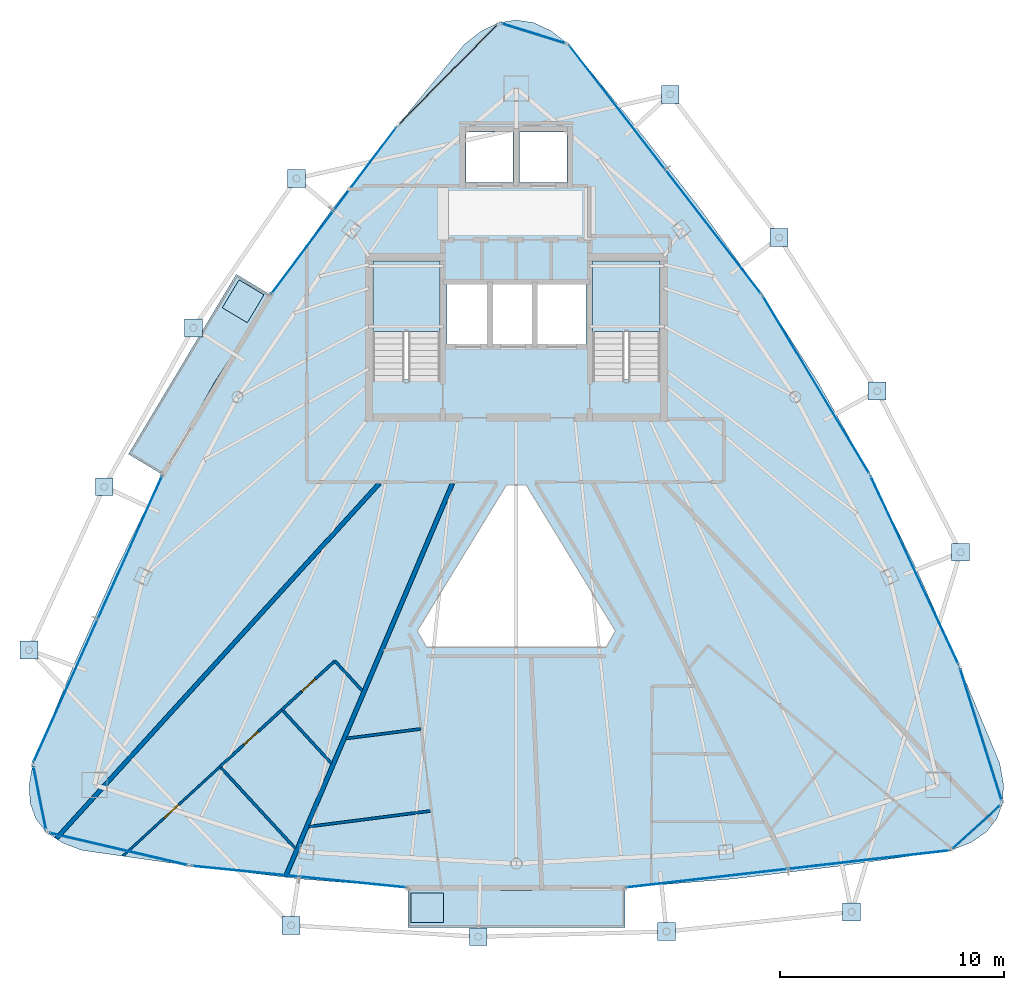
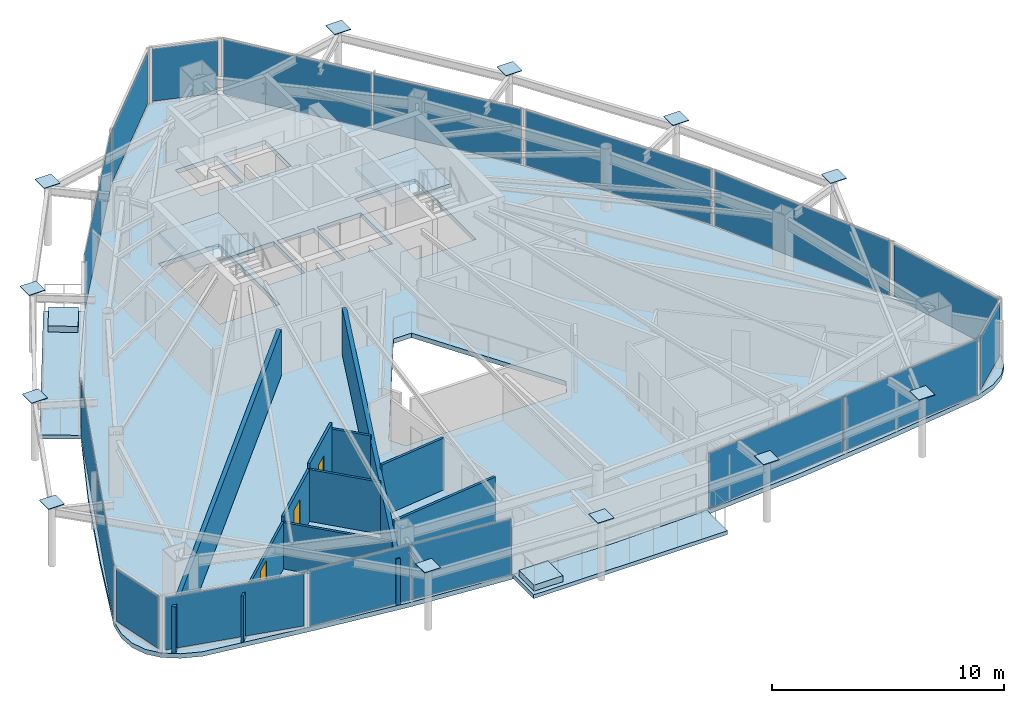
# One storey, part 25 of 30: 30 plates, 10 walls, 7 slabs, 3 doors, 3 openings, 15 elements without a shape of their own.
"""IFC4 building model written with IfcOpenShell, lengths in metres."""

from ifc_helpers import new_model, si_unit, direction, frame, frame_2d, origin, origin_2d, place, context, subcontext, project, spatial, polyline, rectangle, outline, extrude, material, layer, layer_set, type_object, element, fill, aggregate, save


model = new_model("IFC4")

# Units and contexts
model_context = context("Model", 3, precision=1e-05, world=origin(), true_north=direction((0.0, 1.0)))
body_context = subcontext(model_context, "Body", "Model", "MODEL_VIEW")
ifc_project = project(units=[si_unit("LENGTHUNIT", "METRE"), si_unit("AREAUNIT", "SQUARE_METRE"), si_unit("VOLUMEUNIT", "CUBIC_METRE"), si_unit("PLANEANGLEUNIT", "RADIAN"), si_unit("MASSUNIT", "GRAM", prefix="KILO")], contexts=[model_context])

# Site, building, storey
site_placement = place(None, origin())
site = spatial("IfcSite", under=ifc_project, at=site_placement, CompositionType="ELEMENT")
building_placement = place(site_placement, origin())
building = spatial("IfcBuilding", under=site, at=building_placement, Name="Orvanel Arch Residences", CompositionType="ELEMENT")
storey_placement = place(building_placement, frame((0.0, 0.0, 273.35009765625)))
storey = spatial("IfcBuildingStorey", under=building, at=storey_placement, Name="L78", CompositionType="ELEMENT", Elevation=273.35009765625)

# Plates
ifc_material_1 = material(Name="Structural steel AS/NZS 3678 Grade 350", Category="steel")
ifc_layer_1 = layer(ifc_material_1, 0.031982421875)
ifc_layer_set_1 = layer_set([ifc_layer_1], Name="Structural steel AS/NZS 3678 Grade 350")
plate_type_1 = type_object("IfcPlateType", Name="PL-CAP-32", PredefinedType="SHEET", material=ifc_layer_set_1)
for number, where, z_axis, x_axis, name in (
    (1, (23.196044921875, 37.381103515625, 3.28369140625), (0.0, 0.0, 1.0), (1.0, 0.0, 0.0), "L78 hollow member end cap plate"),
    (2, (18.60791015625, 30.722900390625, 3.28369140625), (0.0, 0.0, 1.0), (1.0, 0.0, 0.0), "L78 hollow member end cap plate"),
    (3, (14.632080078125, 23.64208984375, 3.28369140625), (0.0, 0.0, 1.0), (1.0, 0.0, 0.0), "L78 hollow member end cap plate"),
    (4, (11.277099609375, 16.35693359375, 3.28369140625), (0.0, 0.0, 1.0), (1.0, 0.0, 0.0), "L78 hollow member end cap plate"),
    (5, (22.9580078125, 4.092041015625, 3.28369140625), (0.0, 0.0, 1.0), (1.0, 0.0, 0.0), "L78 hollow member end cap plate"),
    (6, (31.301025390625, 3.583984375, 3.28369140625), (0.0, 0.0, 1.0), (1.0, 0.0, 0.0), "L78 hollow member end cap plate"),
    (7, (39.68994140625, 3.81591796875, 3.28369140625), (0.0, 0.0, 1.0), (1.0, 0.0, 0.0), "L78 hollow member end cap plate"),
    (8, (47.93994140625, 4.68603515625, 3.28369140625), (0.0, 0.0, 1.0), (1.0, 0.0, 0.0), "L78 hollow member end cap plate"),
    (9, (52.798095703125, 20.721923828125, 3.28369140625), (0.0, 0.0, 1.0), (1.0, 0.0, 0.0), "L78 hollow member end cap plate"),
    (10, (49.0830078125, 27.904052734375, 3.28369140625), (0.0, 0.0, 1.0), (1.0, 0.0, 0.0), "L78 hollow member end cap plate"),
    (11, (44.7080078125, 34.7451171875, 3.28369140625), (0.0, 0.0, 1.0), (1.0, 0.0, 0.0), "L78 hollow member end cap plate"),
    (12, (39.860107421875, 41.134033203125, 3.28369140625), (0.0, 0.0, 1.0), (1.0, 0.0, 0.0), "L78 hollow member end cap plate"),
):
    element("IfcPlate", number, at=place(storey_placement, frame(where, z_axis=z_axis, x_axis=x_axis)), inside=storey, type_object=plate_type_1, Name=name, PredefinedType="SHEET", context=body_context, shape_type="SweptSolid", body=[
        extrude(rectangle(XDim=0.800048828125, YDim=0.800048828125, at=origin_2d()), origin(), (0.0, 0.0, 1.0), 0.031982421875),
    ])

# Curtain wall, plates
ifc_material_2 = material(Name="Bronze-anodised aluminium AA6063-T6", Category="aluminium")
ifc_layer_2 = layer(ifc_material_2, 0.175048828125)
ifc_layer_set_2 = layer_set([ifc_layer_2], Name="Bronze-anodised aluminium AA6063-T6")
curtain_wall_type_1 = type_object("IfcCurtainWallType", Name="CW4-HI-SYS", PredefinedType="NOTDEFINED", material=ifc_layer_set_2)
curtain_wall_1_placement = place(storey_placement, origin())
curtain_wall_1 = element("IfcCurtainWall", 13, at=curtain_wall_1_placement, inside=storey, type_object=curtain_wall_type_1, Name="L78 CW4-HI-SYS Unitised Curtain Wall", PredefinedType="NOTDEFINED")
ifc_material_3 = material(Name="Double-glazed solar-control low-E safety glass", Category="glass")
ifc_layer_3 = layer(ifc_material_3, 0.028076171875)
ifc_layer_set_3 = layer_set([ifc_layer_3], Name="Double-glazed solar-control low-E safety glass")
plate_type_2 = type_object("IfcPlateType", Name="PNL-GLZ-28", PredefinedType="CURTAIN_PANEL", material=ifc_layer_set_3)
plate_1_placement = place(storey_placement, frame((26.260498046875, 37.8095703125, 0.06005859375), z_axis=(0.0, 0.0, 1.0), x_axis=(-0.60051286147, -0.799615096912, 0.0)))
plate_1 = element("IfcPlate", 14, at=plate_1_placement, type_object=plate_type_2, Name="CW-S4 panel 1.1", PredefinedType="CURTAIN_PANEL", context=body_context, shape_type="SweptSolid", body=[
    extrude(rectangle(XDim=4.5810546875, YDim=0.028076171875, at=origin_2d()), origin(), (0.0, 0.0, 1.0), 2.89990234375),
])
plate_2_placement = place(storey_placement, frame((23.470458984375, 34.094482421875, 0.06005859375), z_axis=(0.0, 0.0, 1.0), x_axis=(-0.60051286147, -0.799615096912, 0.0)))
plate_2 = element("IfcPlate", 15, at=plate_2_placement, type_object=plate_type_2, Name="CW-S4 panel 2.1", PredefinedType="CURTAIN_PANEL", context=body_context, shape_type="SweptSolid", body=[
    extrude(rectangle(XDim=4.5810546875, YDim=0.028076171875, at=origin_2d()), origin(), (0.0, 0.0, 1.0), 2.89990234375),
])
aggregate(curtain_wall_1, [plate_1, plate_2])

curtain_wall_2_placement = place(storey_placement, origin())
curtain_wall_2 = element("IfcCurtainWall", 16, at=curtain_wall_2_placement, inside=storey, type_object=curtain_wall_type_1, Name="L78 CW4-HI-SYS Unitised Curtain Wall", PredefinedType="NOTDEFINED")
plate_3_placement = place(storey_placement, frame((15.77880859375, 20.935791015625, 0.06005859375), z_axis=(0.0, 0.0, 1.0), x_axis=(-0.409838903913, -0.912157920998, 0.0)))
plate_3 = element("IfcPlate", 17, at=plate_3_placement, type_object=plate_type_2, Name="CW-S4 panel 1.1", PredefinedType="CURTAIN_PANEL", context=body_context, shape_type="SweptSolid", body=[
    extrude(rectangle(XDim=6.94189453125, YDim=0.028076171875, at=origin_2d()), origin(), (0.0, 0.0, 1.0), 2.89990234375),
])
plate_4_placement = place(storey_placement, frame((12.9072265625, 14.54443359375, 0.06005859375), z_axis=(0.0, 0.0, 1.0), x_axis=(-0.409838903913, -0.912157920998, 0.0)))
plate_4 = element("IfcPlate", 18, at=plate_4_placement, type_object=plate_type_2, Name="CW-S4 panel 2.1", PredefinedType="CURTAIN_PANEL", context=body_context, shape_type="SweptSolid", body=[
    extrude(rectangle(XDim=6.94189453125, YDim=0.028076171875, at=origin_2d()), origin(), (0.0, 0.0, 1.0), 2.89990234375),
])
aggregate(curtain_wall_2, [plate_3, plate_4])

curtain_wall_3_placement = place(storey_placement, origin())
curtain_wall_3 = element("IfcCurtainWall", 19, at=curtain_wall_3_placement, inside=storey, type_object=curtain_wall_type_1, Name="L78 CW4-HI-SYS Unitised Curtain Wall", PredefinedType="NOTDEFINED")
plate_5_placement = place(storey_placement, frame((20.925537109375, 6.501220703125, 0.06005859375), z_axis=(0.0, 0.0, 1.0), x_axis=(0.99498699511, -0.100004397711, 0.0)))
plate_5 = element("IfcPlate", 20, at=plate_5_placement, type_object=plate_type_2, Name="CW-S4 panel 1.1", PredefinedType="CURTAIN_PANEL", context=body_context, shape_type="SweptSolid", body=[
    extrude(rectangle(XDim=4.747314453125, YDim=0.028076171875, at=origin_2d()), origin(), (0.0, 0.0, 1.0), 2.89990234375),
])
plate_6_placement = place(storey_placement, frame((25.713623046875, 6.019775390625, 0.06005859375), z_axis=(0.0, 0.0, 1.0), x_axis=(0.99498699511, -0.100004397711, 0.0)))
plate_6 = element("IfcPlate", 21, at=plate_6_placement, type_object=plate_type_2, Name="CW-S4 panel 2.1", PredefinedType="CURTAIN_PANEL", context=body_context, shape_type="SweptSolid", body=[
    extrude(rectangle(XDim=4.747314453125, YDim=0.028076171875, at=origin_2d()), origin(), (0.0, 0.0, 1.0), 2.89990234375),
])
aggregate(curtain_wall_3, [plate_5, plate_6])

curtain_wall_4_placement = place(storey_placement, origin())
curtain_wall_4 = element("IfcCurtainWall", 22, at=curtain_wall_4_placement, inside=storey, type_object=curtain_wall_type_1, Name="L78 CW4-HI-SYS Unitised Curtain Wall", PredefinedType="NOTDEFINED")
plate_7_placement = place(storey_placement, frame((41.496337890625, 6.1923828125, 0.06005859375), z_axis=(0.0, 0.0, 1.0), x_axis=(0.993509210956, 0.113751693375, 0.0)))
plate_7 = element("IfcPlate", 23, at=plate_7_placement, type_object=plate_type_2, Name="CW-S4 panel 1.1", PredefinedType="CURTAIN_PANEL", context=body_context, shape_type="SweptSolid", body=[
    extrude(rectangle(XDim=7.190185546875, YDim=0.028076171875, at=origin_2d()), origin(), (0.0, 0.0, 1.0), 2.89990234375),
])
plate_8_placement = place(storey_placement, frame((48.70458984375, 7.017578125, 0.06005859375), z_axis=(0.0, 0.0, 1.0), x_axis=(0.993509210956, 0.113751693375, 0.0)))
plate_8 = element("IfcPlate", 24, at=plate_8_placement, type_object=plate_type_2, Name="CW-S4 panel 2.1", PredefinedType="CURTAIN_PANEL", context=body_context, shape_type="SweptSolid", body=[
    extrude(rectangle(XDim=7.190185546875, YDim=0.028076171875, at=origin_2d()), origin(), (0.0, 0.0, 1.0), 2.89990234375),
])
aggregate(curtain_wall_4, [plate_7, plate_8])

# Curtain wall, plate
curtain_wall_5_placement = place(storey_placement, origin())
curtain_wall_5 = element("IfcCurtainWall", 25, at=curtain_wall_5_placement, inside=storey, type_object=curtain_wall_type_1, Name="L78 CW4-HI-SYS Unitised Curtain Wall", PredefinedType="NOTDEFINED")
plate_9_placement = place(storey_placement, frame((50.75048828125, 19.9208984375, 0.06005859375), z_axis=(0.0, 0.0, 1.0), x_axis=(-0.422856214336, 0.906196789885, 0.0)))
plate_9 = element("IfcPlate", 26, at=plate_9_placement, type_object=plate_type_2, Name="CW-S4 panel 1.1", PredefinedType="CURTAIN_PANEL", context=body_context, shape_type="SweptSolid", body=[
    extrude(rectangle(XDim=9.227783203125, YDim=0.028076171875, at=origin_2d()), origin(), (0.0, 0.0, 1.0), 2.89990234375),
])
aggregate(curtain_wall_5, [plate_9])

curtain_wall_6_placement = place(storey_placement, origin())
curtain_wall_6 = element("IfcCurtainWall", 27, at=curtain_wall_6_placement, inside=storey, type_object=curtain_wall_type_1, Name="L78 CW4-HI-SYS Unitised Curtain Wall", PredefinedType="NOTDEFINED")
plate_10_placement = place(storey_placement, frame((46.360107421875, 28.18701171875, 0.06005859375), z_axis=(0.0, 0.0, 1.0), x_axis=(-0.514400956296, 0.857549798065, 0.0)))
plate_10 = element("IfcPlate", 28, at=plate_10_placement, type_object=plate_type_2, Name="CW-S4 panel 1.1", PredefinedType="CURTAIN_PANEL", context=body_context, shape_type="SweptSolid", body=[
    extrude(rectangle(XDim=9.177978515625, YDim=0.028076171875, at=origin_2d()), origin(), (0.0, 0.0, 1.0), 2.89990234375),
])
aggregate(curtain_wall_6, [plate_10])

# Curtain wall, plates
curtain_wall_7_placement = place(storey_placement, origin())
curtain_wall_7 = element("IfcCurtainWall", 29, at=curtain_wall_7_placement, inside=storey, type_object=curtain_wall_type_1, Name="L78 CW4-HI-SYS Unitised Curtain Wall", PredefinedType="NOTDEFINED")
plate_11_placement = place(storey_placement, frame((41.78076171875, 35.0078125, 0.06005859375), z_axis=(0.0, 0.0, 1.0), x_axis=(-0.611799201016, 0.791013108385, 0.0)))
plate_11 = element("IfcPlate", 30, at=plate_11_placement, type_object=plate_type_2, Name="CW-S4 panel 1.1", PredefinedType="CURTAIN_PANEL", context=body_context, shape_type="SweptSolid", body=[
    extrude(rectangle(XDim=6.941650390625, YDim=0.028076171875, at=origin_2d()), origin(), (0.0, 0.0, 1.0), 2.89990234375),
])
plate_12_placement = place(storey_placement, frame((37.494140625, 40.550048828125, 0.06005859375), z_axis=(0.0, 0.0, 1.0), x_axis=(-0.611799201016, 0.791013108385, 0.0)))
plate_12 = element("IfcPlate", 31, at=plate_12_placement, type_object=plate_type_2, Name="CW-S4 panel 2.1", PredefinedType="CURTAIN_PANEL", context=body_context, shape_type="SweptSolid", body=[
    extrude(rectangle(XDim=6.941650390625, YDim=0.028076171875, at=origin_2d()), origin(), (0.0, 0.0, 1.0), 2.89990234375),
])
aggregate(curtain_wall_7, [plate_11, plate_12])

# Curtain wall, plate
ifc_layer_4 = layer(ifc_material_2, 0.18994140625)
ifc_layer_set_4 = layer_set([ifc_layer_4], Name="Bronze-anodised aluminium AA6063-T6")
curtain_wall_type_2 = type_object("IfcCurtainWallType", Name="CW5-CRN-SYS", PredefinedType="NOTDEFINED", material=ifc_layer_set_4)
curtain_wall_8_placement = place(storey_placement, origin())
curtain_wall_8 = element("IfcCurtainWall", 32, at=curtain_wall_8_placement, inside=storey, type_object=curtain_wall_type_2, Name="L78 CW5-CRN-SYS Unitised Curtain Wall", PredefinedType="NOTDEFINED")
ifc_layer_5 = layer(ifc_material_3, 0.031982421875)
ifc_layer_set_5 = layer_set([ifc_layer_5], Name="Double-glazed solar-control low-E safety glass")
plate_type_3 = type_object("IfcPlateType", Name="PNL-GLZ-32", PredefinedType="CURTAIN_PANEL", material=ifc_layer_set_5)
plate_13_placement = place(storey_placement, frame((33.77294921875, 43.843994140625, 0.1298828125), z_axis=(0.0, 0.0, 1.0), x_axis=(-0.954868600689, 0.297028543105, 0.0)))
plate_13 = element("IfcPlate", 33, at=plate_13_placement, type_object=plate_type_3, Name="CW-S5 panel 1.1", PredefinedType="CURTAIN_PANEL", context=body_context, shape_type="SweptSolid", body=[
    extrude(rectangle(XDim=2.8984375, YDim=0.031982421875, at=origin_2d()), origin(), (0.0, 0.0, 1.0), 2.760009765625),
])
aggregate(curtain_wall_8, [plate_13])

curtain_wall_9_placement = place(storey_placement, origin())
curtain_wall_9 = element("IfcCurtainWall", 34, at=curtain_wall_9_placement, inside=storey, type_object=curtain_wall_type_2, Name="L78 CW5-CRN-SYS Unitised Curtain Wall", PredefinedType="NOTDEFINED")
plate_14_placement = place(storey_placement, frame((29.95703125, 42.01708984375, 0.1298828125), z_axis=(0.0, 0.0, 1.0), x_axis=(-0.701176820871, -0.712987423362, 0.0)))
plate_14 = element("IfcPlate", 35, at=plate_14_placement, type_object=plate_type_3, Name="CW-S5 panel 1.1", PredefinedType="CURTAIN_PANEL", context=body_context, shape_type="SweptSolid", body=[
    extrude(rectangle(XDim=6.135009765625, YDim=0.031982421875, at=origin_2d()), origin(), (0.0, 0.0, 1.0), 2.760009765625),
])
aggregate(curtain_wall_9, [plate_14])

curtain_wall_10_placement = place(storey_placement, origin())
curtain_wall_10 = element("IfcCurtainWall", 36, at=curtain_wall_10_placement, inside=storey, type_object=curtain_wall_type_2, Name="L78 CW5-CRN-SYS Unitised Curtain Wall", PredefinedType="NOTDEFINED")
plate_15_placement = place(storey_placement, frame((11.75439453125, 9.77197265625, 0.1298828125), z_axis=(0.0, 0.0, 1.0), x_axis=(0.195303656616, -0.980742821392, 0.0)))
plate_15 = element("IfcPlate", 37, at=plate_15_placement, type_object=plate_type_3, Name="CW-S5 panel 1.1", PredefinedType="CURTAIN_PANEL", context=body_context, shape_type="SweptSolid", body=[
    extrude(rectangle(XDim=2.77734375, YDim=0.031982421875, at=origin_2d()), origin(), (0.0, 0.0, 1.0), 2.760009765625),
])
aggregate(curtain_wall_10, [plate_15])

curtain_wall_11_placement = place(storey_placement, origin())
curtain_wall_11 = element("IfcCurtainWall", 38, at=curtain_wall_11_placement, inside=storey, type_object=curtain_wall_type_2, Name="L78 CW5-CRN-SYS Unitised Curtain Wall", PredefinedType="NOTDEFINED")
plate_16_placement = place(storey_placement, frame((15.26904296875, 7.4951171875, 0.1298828125), z_axis=(0.0, 0.0, 1.0), x_axis=(0.973946916945, -0.226776107589, 0.0)))
plate_16 = element("IfcPlate", 39, at=plate_16_placement, type_object=plate_type_3, Name="CW-S5 panel 1.1", PredefinedType="CURTAIN_PANEL", context=body_context, shape_type="SweptSolid", body=[
    extrude(rectangle(XDim=6.252685546875, YDim=0.031982421875, at=origin_2d()), origin(), (0.0, 0.0, 1.0), 2.760009765625),
])
aggregate(curtain_wall_11, [plate_16])

curtain_wall_12_placement = place(storey_placement, origin())
curtain_wall_12 = element("IfcCurtainWall", 40, at=curtain_wall_12_placement, inside=storey, type_object=curtain_wall_type_2, Name="L78 CW5-CRN-SYS Unitised Curtain Wall", PredefinedType="NOTDEFINED")
plate_17_placement = place(storey_placement, frame((53.515380859375, 8.48388671875, 0.1298828125), z_axis=(0.0, 0.0, 1.0), x_axis=(0.74023394526, 0.672349393013, 0.0)))
plate_17 = element("IfcPlate", 41, at=plate_17_placement, type_object=plate_type_3, Name="CW-S5 panel 1.1", PredefinedType="CURTAIN_PANEL", context=body_context, shape_type="SweptSolid", body=[
    extrude(rectangle(XDim=2.77880859375, YDim=0.031982421875, at=origin_2d()), origin(), (0.0, 0.0, 1.0), 2.760009765625),
])
aggregate(curtain_wall_12, [plate_17])

curtain_wall_13_placement = place(storey_placement, origin())
curtain_wall_13 = element("IfcCurtainWall", 42, at=curtain_wall_13_placement, inside=storey, type_object=curtain_wall_type_2, Name="L78 CW5-CRN-SYS Unitised Curtain Wall", PredefinedType="NOTDEFINED")
plate_18_placement = place(storey_placement, frame((53.70361328125, 12.597412109375, 0.1298828125), z_axis=(0.0, 0.0, 1.0), x_axis=(-0.300689352356, 0.953722136358, 0.0)))
plate_18 = element("IfcPlate", 43, at=plate_18_placement, type_object=plate_type_3, Name="CW-S5 panel 1.1", PredefinedType="CURTAIN_PANEL", context=body_context, shape_type="SweptSolid", body=[
    extrude(rectangle(XDim=6.088623046875, YDim=0.031982421875, at=origin_2d()), origin(), (0.0, 0.0, 1.0), 2.760009765625),
])
aggregate(curtain_wall_13, [plate_18])

# Slabs
ifc_material_4 = material(Name="Concrete N40 (40 MPa)", Category="concrete")
ifc_layer_6 = layer(ifc_material_4, 0.199951171875)
ifc_layer_set_6 = layer_set([ifc_layer_6], Name="Concrete N40 (40 MPa)")
slab_type_1 = type_object("IfcSlabType", Name="SLB-BAL-200", PredefinedType="FLOOR", material=ifc_layer_set_6)
slab_1_placement = place(storey_placement, frame((0.0, 0.0, -0.2001953125)))
element("IfcSlab", 44, at=slab_1_placement, inside=storey, type_object=slab_type_1, Name="L78 Cantilevered Balcony Slab Face 1", PredefinedType="FLOOR", context=body_context, shape_type="SweptSolid", body=[
    extrude(outline(polyline([(20.51806640625, 33.110107421875), (15.7099609375, 25.094970703125), (17.236083984375, 24.178955078125), (19.52294921875, 28.258056640625), (22.0439453125, 32.195068359375), (20.51806640625, 33.110107421875)])), origin(), (0.0, 0.0, 1.0), 0.2001953125),
])
slab_2_placement = place(storey_placement, frame((0.0, 0.0, -0.2001953125)))
element("IfcSlab", 45, at=slab_2_placement, inside=storey, type_object=slab_type_1, Name="L78 Cantilevered Balcony Slab Face 2", PredefinedType="FLOOR", context=body_context, shape_type="SweptSolid", body=[
    extrude(outline(polyline([(28.159912109375, 3.993896484375), (37.840087890625, 3.993896484375), (37.840087890625, 5.77392578125), (33.0, 5.636962890625), (28.159912109375, 5.77392578125), (28.159912109375, 3.993896484375)])), origin(), (0.0, 0.0, 1.0), 0.2001953125),
])

# Stair, slab
ifc_material_5 = material(Name="Precast concrete N50 (50 MPa)", Category="concrete")
stair_type = type_object("IfcStairType", Name="STR-DOG-184", PredefinedType="USERDEFINED", material=ifc_material_5)
stair_1_placement = place(storey_placement, origin())
stair_1 = element("IfcStair", 46, at=stair_1_placement, inside=storey, type_object=stair_type, Name="L78 Fire-Isolated Core Exit Stair 1", ObjectType="TWO_RETURN_STAIR", PredefinedType="USERDEFINED")
ifc_layer_7 = layer(ifc_material_4, 0.199951171875)
ifc_layer_set_7 = layer_set([ifc_layer_7], Name="Concrete N40 (40 MPa)")
slab_type_2 = type_object("IfcSlabType", Name="SLB-LND-200", PredefinedType="LANDING", material=ifc_layer_set_7)
slab_3_placement = place(storey_placement, frame((0.0, 0.0, 1.449951171875)))
slab_3 = element("IfcSlab", 47, at=slab_3_placement, type_object=slab_type_2, Name="ST-1 landing 1", PredefinedType="LANDING", context=body_context, shape_type="SweptSolid", body=[
    extrude(outline(polyline([(29.60009765625, 30.56005859375), (29.60009765625, 33.699951171875), (26.60009765625, 33.699951171875), (26.60009765625, 30.56005859375), (29.60009765625, 30.56005859375)])), origin(), (0.0, 0.0, 1.0), 0.199951171875),
])
aggregate(stair_1, [slab_3])

stair_2_placement = place(storey_placement, origin())
stair_2 = element("IfcStair", 48, at=stair_2_placement, inside=storey, type_object=stair_type, Name="L78 Fire-Isolated Core Exit Stair 2", ObjectType="TWO_RETURN_STAIR", PredefinedType="USERDEFINED")
slab_4_placement = place(storey_placement, frame((0.0, 0.0, 1.449951171875)))
slab_4 = element("IfcSlab", 49, at=slab_4_placement, type_object=slab_type_2, Name="ST-2 landing 1", PredefinedType="LANDING", context=body_context, shape_type="SweptSolid", body=[
    extrude(outline(polyline([(39.39990234375, 30.56005859375), (39.39990234375, 33.699951171875), (36.39990234375, 33.699951171875), (36.39990234375, 30.56005859375), (39.39990234375, 30.56005859375)])), origin(), (0.0, 0.0, 1.0), 0.199951171875),
])
aggregate(stair_2, [slab_4])

# Slabs
ifc_material_6 = material(Name="Structural architectural precast concrete N40 (40 MPa) planter", Category="concrete")
ifc_layer_8 = layer(ifc_material_6, 0.320068359375)
ifc_layer_set_8 = layer_set([ifc_layer_8], Name="Structural architectural precast concrete N40 (40 MPa) planter")
slab_type_3 = type_object("IfcSlabType", Name="SLB-PLN-320", PredefinedType="USERDEFINED", material=ifc_layer_set_8)
slab_5_placement = place(storey_placement, origin())
element("IfcSlab", 50, at=slab_5_placement, inside=storey, type_object=slab_type_3, Name="L78 Balcony TREE PLANTER Face 1", ObjectType="PLANTER", PredefinedType="USERDEFINED", context=body_context, shape_type="SweptSolid", body=[
    extrude(outline(polyline([(20.637939453125, 32.863037109375), (19.89208984375, 31.6201171875), (21.007080078125, 30.950927734375), (21.751953125, 32.195068359375), (20.637939453125, 32.863037109375)])), origin(), (0.0, 0.0, 1.0), 0.31982421875),
])
slab_6_placement = place(storey_placement, origin())
element("IfcSlab", 51, at=slab_6_placement, inside=storey, type_object=slab_type_3, Name="L78 Balcony TREE PLANTER Face 2", ObjectType="PLANTER", PredefinedType="USERDEFINED", context=body_context, shape_type="SweptSolid", body=[
    extrude(outline(polyline([(28.31005859375, 4.22412109375), (29.760009765625, 4.22412109375), (29.760009765625, 5.52392578125), (28.31005859375, 5.52392578125), (28.31005859375, 4.22412109375)])), origin(), (0.0, 0.0, 1.0), 0.31982421875),
])
ifc_layer_9 = layer(ifc_material_4, 0.239990234375)
ifc_layer_set_9 = layer_set([ifc_layer_9], Name="Concrete N40 (40 MPa)")
slab_type_4 = type_object("IfcSlabType", Name="SLB-TYP-240", PredefinedType="FLOOR", material=ifc_layer_set_9)
slab_7_placement = place(storey_placement, frame((0.0, 0.0, -0.239990234375)))
element("IfcSlab", 52, at=slab_7_placement, inside=storey, type_object=slab_type_4, Name="L78 Tower Floor Slab", PredefinedType="FLOOR", context=body_context, shape_type="SweptSolid", body=[
    extrude(outline(polyline([(35.319091796875, 43.363037109375), (34.5458984375, 43.964111328125), (33.77294921875, 44.324951171875), (33.0, 44.445068359375), (32.22705078125, 44.324951171875), (31.4541015625, 43.964111328125), (30.680908203125, 43.363037109375), (27.68701171875, 39.708984375), (24.781982421875, 36.001953125), (22.0439453125, 32.195068359375), (19.52294921875, 28.258056640625), (17.236083984375, 24.178955078125), (15.166015625, 19.970947265625), (13.262939453125, 15.6630859375), (11.449951171875, 11.301025390625), (11.283935546875, 10.35693359375), (11.330078125, 9.531982421875), (11.587890625, 8.827880859375), (12.05908203125, 8.242919921875), (12.742919921875, 7.780029296875), (13.638916015625, 7.43603515625), (18.47900390625, 6.7470703125), (23.319091796875, 6.1640625), (28.159912109375, 5.77392578125), (33.0, 5.636962890625), (37.840087890625, 5.77392578125), (42.680908203125, 6.1640625), (47.52099609375, 6.7470703125), (52.361083984375, 7.43603515625), (53.257080078125, 7.780029296875), (53.94091796875, 8.242919921875), (54.412109375, 8.827880859375), (54.669921875, 9.531982421875), (54.717041015625, 10.35693359375), (54.550048828125, 11.301025390625), (52.737060546875, 15.6630859375), (50.833984375, 19.970947265625), (48.763916015625, 24.178955078125), (46.47705078125, 28.258056640625), (43.9560546875, 32.195068359375), (41.218017578125, 36.001953125), (38.31298828125, 39.708984375), (35.319091796875, 43.363037109375)]), holes=[polyline([(26.60009765625, 28.429931640625), (26.60009765625, 33.699951171875), (29.60009765625, 33.699951171875), (29.60009765625, 28.429931640625), (26.60009765625, 28.429931640625)]), polyline([(36.39990234375, 28.429931640625), (36.39990234375, 33.699951171875), (39.39990234375, 33.699951171875), (39.39990234375, 28.429931640625), (36.39990234375, 28.429931640625)]), polyline([(29.89990234375, 32.64990234375), (31.75, 32.64990234375), (31.75, 29.949951171875), (29.89990234375, 29.949951171875), (29.89990234375, 32.64990234375)]), polyline([(31.89990234375, 32.64990234375), (33.75, 32.64990234375), (33.75, 29.949951171875), (31.89990234375, 29.949951171875), (31.89990234375, 32.64990234375)]), polyline([(33.89990234375, 32.64990234375), (36.10009765625, 32.64990234375), (36.10009765625, 29.949951171875), (33.89990234375, 29.949951171875), (33.89990234375, 32.64990234375)]), polyline([(30.75, 39.449951171875), (32.85009765625, 39.449951171875), (32.85009765625, 37.199951171875), (30.75, 37.199951171875), (30.75, 39.449951171875)]), polyline([(33.14990234375, 39.449951171875), (35.25, 39.449951171875), (35.25, 37.199951171875), (33.14990234375, 37.199951171875), (33.14990234375, 39.449951171875)]), polyline([(37.416015625, 17.219970703125), (37.006103515625, 16.488037109375), (28.993896484375, 16.488037109375), (28.583984375, 17.219970703125), (32.552978515625, 23.7119140625), (33.447021484375, 23.7119140625), (37.416015625, 17.219970703125)])]), origin(), (0.0, 0.0, 1.0), 0.239990234375),
])

# Walls
ifc_material_7 = material(Name="Fire-rated plasterboard lined steel stud partition", Category="steel")
ifc_layer_10 = layer(ifc_material_7, 0.199951171875)
ifc_layer_set_10 = layer_set([ifc_layer_10], Name="Fire-rated plasterboard lined steel stud partition")
wall_type_1 = type_object("IfcWallType", Name="W-DEM-200", PredefinedType="PARTITIONING", material=ifc_layer_set_10)
wall_1_placement = place(storey_placement, frame((26.89599609375, 23.7900390625, 0.0), z_axis=(0.0, 0.0, 1.0), x_axis=(-0.672947642337, -0.739690118004, 0.0)))
element("IfcWall", 53, at=wall_1_placement, inside=storey, type_object=wall_type_1, Name="L78 Inter-Tenancy Acoustic Demising Wall", PredefinedType="PARTITIONING", context=body_context, shape_type="SweptSolid", body=[
    extrude(rectangle(XDim=21.395263671875, YDim=0.199951171875, at=frame_2d((10.69775390625, 0.0))), origin(), (0.0, 0.0, 1.0), 2.451904296875),
])
wall_2_placement = place(storey_placement, frame((30.152099609375, 23.7900390625, 0.0), z_axis=(0.0, 0.0, 1.0), x_axis=(-0.390757480658, -0.920493667175, 0.0)))
element("IfcWall", 54, at=wall_2_placement, inside=storey, type_object=wall_type_1, Name="L78 Inter-Tenancy Acoustic Demising Wall", PredefinedType="PARTITIONING", context=body_context, shape_type="SweptSolid", body=[
    extrude(rectangle(XDim=19.052978515625, YDim=0.199951171875, at=frame_2d((9.5263671875, 0.0))), origin(), (0.0, 0.0, 1.0), 2.451904296875),
])

# Wall, opening, door
ifc_material_8 = material(Name="Acoustic plasterboard lined twin-stud partition", Category="gypsum")
ifc_layer_11 = layer(ifc_material_8, 0.10009765625)
ifc_layer_set_11 = layer_set([ifc_layer_11], Name="Acoustic plasterboard lined twin-stud partition")
wall_type_2 = type_object("IfcWallType", Name="W-INT-100", PredefinedType="PARTITIONING", material=ifc_layer_set_11)
wall_3_placement = place(storey_placement, frame((19.791015625, 11.1640625, 0.0), z_axis=(0.0, 0.0, 1.0), x_axis=(-0.735787653784, -0.677212321608, 0.0)))
wall_3 = element("IfcWall", 55, at=wall_3_placement, inside=storey, type_object=wall_type_2, Name="L78 Studio A Internal Partition", PredefinedType="PARTITIONING", context=body_context, shape_type="SweptSolid", body=[
    extrude(rectangle(XDim=5.87255859375, YDim=0.10009765625, at=frame_2d((2.936279296875, 0.0))), origin(), (0.0, 0.0, 1.0), 2.451904296875),
])
opening_1_placement = place(wall_3_placement, frame((2.49609375, 0.0, 0.0)))
opening_1 = element("IfcOpeningElement", 56, at=opening_1_placement, cuts=wall_3, Name="Opening DI-088", PredefinedType="OPENING", context=body_context, shape_type="SweptSolid", body=[
    extrude(rectangle(XDim=0.8798828125, YDim=2.10009765625, at=frame_2d((0.43994140625, 1.050048828125))), frame((0.0, 0.06005859375, 0.0), z_axis=(0.0, -1.0, 0.0), x_axis=(1.0, 0.0, 0.0)), (0.0, 0.0, 1.0), 0.1201171875),
])
ifc_material_9 = material(Name="Solid-core European oak veneer fire door leaf", Category="wood")
door_type_1 = type_object("IfcDoorType", Name="DR-INT-880", OperationType="NOTDEFINED", PredefinedType="DOOR", material=ifc_material_9)
door_1_placement = place(opening_1_placement, origin())
door_1 = element("IfcDoor", 57, at=door_1_placement, inside=storey, type_object=door_type_1, Name="DR-L78-A-CAR1 L78 Studio A Allied Health Consulting Room 1 Door", OperationType="SINGLE_SWING_LEFT", OverallHeight=2.10009765625, OverallWidth=0.8798828125, PredefinedType="DOOR", context=body_context, shape_type="SweptSolid", body=[
    extrude(rectangle(XDim=0.8798828125, YDim=2.10009765625, at=frame_2d((0.43994140625, 1.050048828125))), frame((0.0, 0.02490234375, 0.0), z_axis=(0.0, -1.0, 0.0), x_axis=(1.0, 0.0, 0.0)), (0.0, 0.0, 1.0), 0.050048828125),
])
fill(opening_1, door_1)

# Wall
ifc_layer_12 = layer(ifc_material_8, 0.1201171875)
ifc_layer_set_12 = layer_set([ifc_layer_12], Name="Acoustic plasterboard lined twin-stud partition")
wall_type_3 = type_object("IfcWallType", Name="W-WET-120", PredefinedType="PARTITIONING", material=ifc_layer_set_12)
wall_4_placement = place(storey_placement, frame((26.135986328125, 14.5458984375, 0.0), z_axis=(0.0, 0.0, 1.0), x_axis=(-0.67721439392, 0.735785746443, 0.0)))
element("IfcWall", 58, at=wall_4_placement, inside=storey, type_object=wall_type_3, Name="L78 Studio A Bathroom Partition", PredefinedType="PARTITIONING", context=body_context, shape_type="SweptSolid", body=[
    extrude(rectangle(XDim=1.80908203125, YDim=0.1201171875, at=frame_2d((0.904541015625, 0.0))), origin(), (0.0, 0.0, 1.0), 2.73291015625),
])

# Wall, opening, door
wall_5_placement = place(storey_placement, frame((24.910888671875, 15.876953125, 0.0), z_axis=(0.0, 0.0, 1.0), x_axis=(-0.735690989841, -0.677317331438, 0.0)))
wall_5 = element("IfcWall", 59, at=wall_5_placement, inside=storey, type_object=wall_type_3, Name="L78 Studio A Bathroom Partition", PredefinedType="PARTITIONING", context=body_context, shape_type="SweptSolid", body=[
    extrude(rectangle(XDim=3.20361328125, YDim=0.1201171875, at=frame_2d((1.601806640625, 0.0))), origin(), (0.0, 0.0, 1.0), 3.02001953125),
])
opening_2_placement = place(wall_5_placement, frame((1.19189453125, 0.0, 0.0)))
opening_2 = element("IfcOpeningElement", 60, at=opening_2_placement, cuts=wall_5, Name="Opening DW-082", PredefinedType="OPENING", context=body_context, shape_type="SweptSolid", body=[
    extrude(rectangle(XDim=0.820068359375, YDim=2.10009765625, at=frame_2d((0.41015625, 1.050048828125))), frame((0.0, 0.070068359375, 0.0), z_axis=(0.0, -1.0, 0.0), x_axis=(1.0, 0.0, 0.0)), (0.0, 0.0, 1.0), 0.14013671875),
])
door_type_2 = type_object("IfcDoorType", Name="DR-WET-820", OperationType="NOTDEFINED", PredefinedType="DOOR", material=ifc_material_9)
door_2_placement = place(opening_2_placement, origin())
door_2 = element("IfcDoor", 61, at=door_2_placement, inside=storey, type_object=door_type_2, Name="DR-L78-A-BATH L78 Studio A Bathroom Door", OperationType="SINGLE_SWING_RIGHT", OverallHeight=2.10009765625, OverallWidth=0.820068359375, PredefinedType="DOOR", context=body_context, shape_type="SweptSolid", body=[
    extrude(rectangle(XDim=0.820068359375, YDim=2.10009765625, at=frame_2d((0.41015625, 1.050048828125))), frame((0.0, 0.02490234375, 0.0), z_axis=(0.0, -1.0, 0.0), x_axis=(1.0, 0.0, 0.0)), (0.0, 0.0, 1.0), 0.050048828125),
])
fill(opening_2, door_2)

wall_6_placement = place(storey_placement, frame((22.553955078125, 13.70703125, 0.0), z_axis=(0.0, 0.0, 1.0), x_axis=(-0.735789751444, -0.677210042506, 0.0)))
wall_6 = element("IfcWall", 62, at=wall_6_placement, inside=storey, type_object=wall_type_3, Name="L78 Studio A Internal Partition", PredefinedType="PARTITIONING", context=body_context, shape_type="SweptSolid", body=[
    extrude(rectangle(XDim=3.755126953125, YDim=0.1201171875, at=frame_2d((1.87744140625, 0.0))), origin(), (0.0, 0.0, 1.0), 2.73291015625),
])
opening_3_placement = place(wall_6_placement, frame((1.43798828125, 0.0, 0.0)))
opening_3 = element("IfcOpeningElement", 63, at=opening_3_placement, cuts=wall_6, Name="Opening DI-088", PredefinedType="OPENING", context=body_context, shape_type="SweptSolid", body=[
    extrude(rectangle(XDim=0.8798828125, YDim=2.10009765625, at=frame_2d((0.43994140625, 1.050048828125))), frame((0.0, 0.070068359375, 0.0), z_axis=(0.0, -1.0, 0.0), x_axis=(1.0, 0.0, 0.0)), (0.0, 0.0, 1.0), 0.14013671875),
])
door_3_placement = place(opening_3_placement, origin())
door_3 = element("IfcDoor", 64, at=door_3_placement, inside=storey, type_object=door_type_1, Name="DR-L78-A-KIT L78 Studio A Kitchenette Door", OperationType="SINGLE_SWING_LEFT", OverallHeight=2.10009765625, OverallWidth=0.8798828125, PredefinedType="DOOR", context=body_context, shape_type="SweptSolid", body=[
    extrude(rectangle(XDim=0.8798828125, YDim=2.10009765625, at=frame_2d((0.43994140625, 1.050048828125))), frame((0.0, 0.02490234375, 0.0), z_axis=(0.0, -1.0, 0.0), x_axis=(1.0, 0.0, 0.0)), (0.0, 0.0, 1.0), 0.050048828125),
])
fill(opening_3, door_3)

# Walls
wall_7_placement = place(storey_placement, frame((24.760986328125, 11.30810546875, 0.0), z_axis=(0.0, 0.0, 1.0), x_axis=(-0.677059775875, 0.735928026299, 0.0)))
element("IfcWall", 65, at=wall_7_placement, inside=storey, type_object=wall_type_3, Name="L78 Studio A Bathroom Partition", PredefinedType="PARTITIONING", context=body_context, shape_type="SweptSolid", body=[
    extrude(rectangle(XDim=3.259765625, YDim=0.1201171875, at=frame_2d((1.6298828125, 0.0))), origin(), (0.0, 0.0, 1.0), 2.73291015625),
])
wall_8_placement = place(storey_placement, frame((23.15087890625, 7.514892578125, 0.0), z_axis=(0.0, 0.0, 1.0), x_axis=(-0.677343302262, 0.735667078834, 0.0)))
element("IfcWall", 66, at=wall_8_placement, inside=storey, type_object=wall_type_3, Name="L78 Studio A Internal Partition", PredefinedType="PARTITIONING", context=body_context, shape_type="SweptSolid", body=[
    extrude(rectangle(XDim=4.96044921875, YDim=0.1201171875, at=frame_2d((2.480224609375, 0.0))), origin(), (0.0, 0.0, 1.0), 2.451904296875),
])
wall_9_placement = place(storey_placement, frame((28.7529296875, 12.847900390625, 0.0), z_axis=(0.0, 0.0, 1.0), x_axis=(-0.991902552373, -0.127001285805, 0.0)))
element("IfcWall", 67, at=wall_9_placement, inside=storey, type_object=wall_type_3, Name="L78 Studio D Bathroom Partition", PredefinedType="PARTITIONING", context=body_context, shape_type="SweptSolid", body=[
    extrude(rectangle(XDim=3.3623046875, YDim=0.1201171875, at=frame_2d((1.68115234375, 0.0))), origin(), (0.0, 0.0, 1.0), 2.73291015625),
])
wall_10_placement = place(storey_placement, frame((29.221923828125, 9.195068359375, 0.0), z_axis=(0.0, 0.0, 1.0), x_axis=(-0.991886960484, -0.127123001942, 0.0)))
element("IfcWall", 68, at=wall_10_placement, inside=storey, type_object=wall_type_3, Name="L78 Studio D Internal Partition", PredefinedType="PARTITIONING", context=body_context, shape_type="SweptSolid", body=[
    extrude(rectangle(XDim=5.515625, YDim=0.1201171875, at=frame_2d((2.7578125, 0.0))), origin(), (0.0, 0.0, 1.0), 2.73291015625),
])

save(model, "model.ifc")
